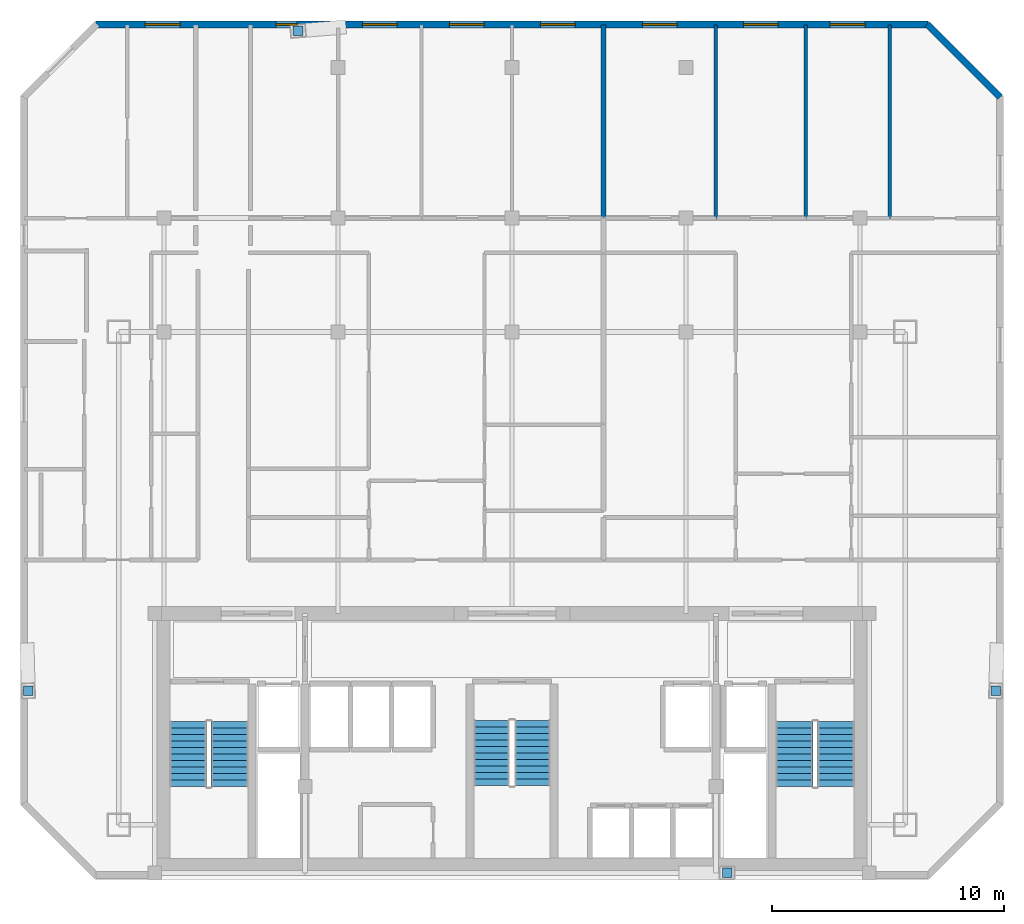
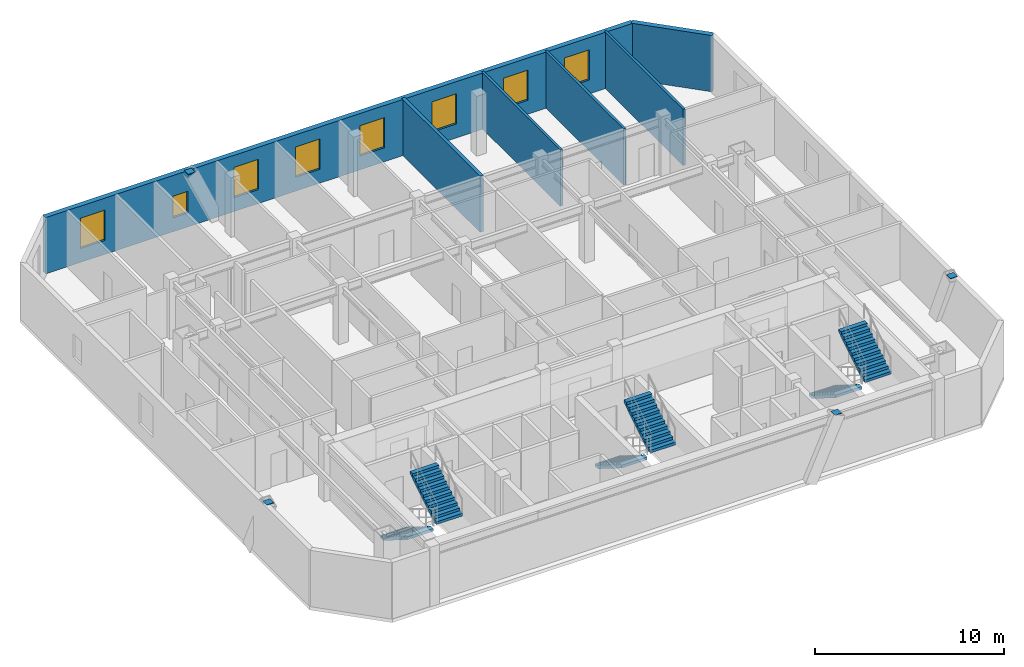
# One storey, part 6 of 7: 8 windows, 6 stair flights, 6 walls, 4 discrete accessories, 8 openings, 3 elements without a shape of their own.
"""IFC4 building model written with IfcOpenShell, lengths in metres."""

from ifc_helpers import new_model, si_unit, direction, frame, frame_2d, origin, origin_2d, place, context, subcontext, project, spatial, polyline, rectangle, outline, extrude, material, layer, layer_set, type_object, element, fill, aggregate, save


model = new_model("IFC4")

# Units and contexts
model_context = context("Model", 3, precision=1e-05, world=origin(), true_north=direction((0.0, 1.0)))
body_context = subcontext(model_context, "Body", "Model", "MODEL_VIEW")
ifc_project = project(units=[si_unit("LENGTHUNIT", "METRE"), si_unit("AREAUNIT", "SQUARE_METRE"), si_unit("VOLUMEUNIT", "CUBIC_METRE"), si_unit("PLANEANGLEUNIT", "RADIAN"), si_unit("MASSUNIT", "GRAM", prefix="KILO")], contexts=[model_context])

# Site, building, storey
site_placement = place(None, origin())
site = spatial("IfcSite", under=ifc_project, at=site_placement, CompositionType="ELEMENT")
building_placement = place(site_placement, origin())
building = spatial("IfcBuilding", under=site, at=building_placement, Name="Ventersveld Concourse Tower", CompositionType="ELEMENT")
storey_placement = place(building_placement, frame((0.0, 0.0, 234.949951171875)))
storey = spatial("IfcBuildingStorey", under=building, at=storey_placement, Name="L58", CompositionType="ELEMENT", Elevation=234.949951171875)

# Walls
ifc_material_1 = material(Name="Fire-rated autoclaved aerated masonry blockwork", Category="masonry")
ifc_layer_1 = layer(ifc_material_1, 0.199951171875)
ifc_layer_set_1 = layer_set([ifc_layer_1], Name="Fire-rated autoclaved aerated masonry blockwork")
wall_type_1 = type_object("IfcWallType", Name="WL-DEMISE-200", PredefinedType="PARTITIONING", material=ifc_layer_set_1)
wall_1_placement = place(storey_placement, frame((32.6953125, 28.534912109375, 0.0), z_axis=(0.0, 0.0, 1.0), x_axis=(0.0, 1.0, 0.0)))
element("IfcWall", 1, at=wall_1_placement, inside=storey, type_object=wall_type_1, Name="L58 Interior Partition SP-L58-58N1-BR4-SP-L58-58N2-BR1", PredefinedType="PARTITIONING", context=body_context, shape_type="SweptSolid", body=[
    extrude(rectangle(XDim=8.287109375, YDim=0.199951171875, at=frame_2d((4.1435546875, 0.0))), origin(), (0.0, 0.0, 1.0), 3.630126953125),
])
ifc_material_2 = material(Name="Autoclaved aerated masonry blockwork", Category="masonry")
ifc_layer_2 = layer(ifc_material_2, 0.14990234375)
ifc_layer_set_2 = layer_set([ifc_layer_2], Name="Autoclaved aerated masonry blockwork")
wall_type_2 = type_object("IfcWallType", Name="WL-INT-150", PredefinedType="PARTITIONING", material=ifc_layer_set_2)
for number, where, z_axis, x_axis, name in (
    (2, (37.543212890625, 28.4951171875, 0.0), (0.0, 0.0, 1.0), (0.0, 1.0, 0.0), "L58 Interior Partition SP-L58-58N2-BR1-SP-L58-58N2-BR2"),
    (3, (41.408447265625, 28.4951171875, 0.0), (0.0, 0.0, 1.0), (0.0, 1.0, 0.0), "L58 Interior Partition SP-L58-58N2-BR2-SP-L58-58N2-BR3"),
    (4, (45.028076171875, 28.4951171875, 0.0), (0.0, 0.0, 1.0), (0.0, 1.0, 0.0), "L58 Interior Partition SP-L58-58N2-BR3-SP-L58-58N2-BR4"),
):
    element("IfcWall", number, at=place(storey_placement, frame(where, z_axis=z_axis, x_axis=x_axis)), inside=storey, type_object=wall_type_2, Name=name, PredefinedType="PARTITIONING", context=body_context, shape_type="SweptSolid", body=[
        extrude(rectangle(XDim=8.326904296875, YDim=0.14990234375, at=frame_2d((4.16357421875, 0.0))), origin(), (0.0, 0.0, 1.0), 3.630126953125),
    ])
ifc_material_3 = material(Name="Precast concrete C45/55", Category="concrete")
ifc_layer_3 = layer(ifc_material_3, 0.300048828125)
ifc_layer_set_3 = layer_set([ifc_layer_3], Name="Precast concrete C45/55")
wall_type_3 = type_object("IfcWallType", Name="WL-PREC-300", PredefinedType="SOLIDWALL", material=ifc_layer_set_3)
wall_2_placement = place(storey_placement, frame((49.79443359375, 33.716552734375, 0.0), z_axis=(0.0, 0.0, 1.0), x_axis=(-0.707079321262, 0.707134240044, 0.0)))
element("IfcWall", 5, at=wall_2_placement, inside=storey, type_object=wall_type_3, Name="L58 Highveld Precast Facade Wall E04", PredefinedType="SOLIDWALL", context=body_context, shape_type="SweptSolid", body=[
    extrude(rectangle(XDim=4.445556640625, YDim=0.300048828125, at=frame_2d((2.22265625, 0.0))), origin(), (0.0, 0.0, 1.0), 3.630126953125),
])

# Wall, openings, windows
wall_3_placement = place(storey_placement, frame((46.68896484375, 36.844482421875, 0.0), z_axis=(0.0, 0.0, 1.0), x_axis=(-1.0, 0.0, 0.0)))
wall_3 = element("IfcWall", 6, at=wall_3_placement, inside=storey, type_object=wall_type_3, Name="L58 Highveld Precast Facade Wall E05", PredefinedType="SOLIDWALL", context=body_context, shape_type="SweptSolid", body=[
    extrude(rectangle(XDim=35.8779296875, YDim=0.300048828125, at=frame_2d((17.93896484375, 0.0))), origin(), (0.0, 0.0, 1.0), 3.630126953125),
])
opening_1_placement = place(wall_3_placement, frame((32.250244140625, 0.0, 0.89990234375)))
opening_1 = element("IfcOpeningElement", 7, at=opening_1_placement, cuts=wall_3, Name="Opening W1", PredefinedType="OPENING", context=body_context, shape_type="SweptSolid", body=[
    extrude(rectangle(XDim=1.5, YDim=1.949951171875, at=frame_2d((0.75, 0.97509765625))), frame((0.0, 0.16015625, 0.0), z_axis=(0.0, -1.0, 0.0), x_axis=(1.0, 0.0, 0.0)), (0.0, 0.0, 1.0), 0.320068359375),
])
opening_2_placement = place(wall_3_placement, frame((27.20458984375, 0.0, 0.89990234375)))
opening_2 = element("IfcOpeningElement", 8, at=opening_2_placement, cuts=wall_3, Name="Opening W8", PredefinedType="OPENING", context=body_context, shape_type="SweptSolid", body=[
    extrude(rectangle(XDim=0.89990234375, YDim=1.39990234375, at=frame_2d((0.449951171875, 0.699951171875))), frame((0.0, 0.16015625, 0.0), z_axis=(0.0, -1.0, 0.0), x_axis=(1.0, 0.0, 0.0)), (0.0, 0.0, 1.0), 0.320068359375),
])
opening_3_placement = place(wall_3_placement, frame((22.8896484375, 0.0, 0.89990234375)))
opening_3 = element("IfcOpeningElement", 9, at=opening_3_placement, cuts=wall_3, Name="Opening W1", PredefinedType="OPENING", context=body_context, shape_type="SweptSolid", body=[
    extrude(rectangle(XDim=1.5, YDim=1.949951171875, at=frame_2d((0.75, 0.97509765625))), frame((0.0, 0.16015625, 0.0), z_axis=(0.0, -1.0, 0.0), x_axis=(1.0, 0.0, 0.0)), (0.0, 0.0, 1.0), 0.320068359375),
])
opening_4_placement = place(wall_3_placement, frame((19.1396484375, 0.0, 0.89990234375)))
opening_4 = element("IfcOpeningElement", 10, at=opening_4_placement, cuts=wall_3, Name="Opening W1", PredefinedType="OPENING", context=body_context, shape_type="SweptSolid", body=[
    extrude(rectangle(XDim=1.5, YDim=1.949951171875, at=frame_2d((0.75, 0.97509765625))), frame((0.0, 0.16015625, 0.0), z_axis=(0.0, -1.0, 0.0), x_axis=(1.0, 0.0, 0.0)), (0.0, 0.0, 1.0), 0.320068359375),
])
opening_5_placement = place(wall_3_placement, frame((15.21630859375, 0.0, 0.89990234375)))
opening_5 = element("IfcOpeningElement", 11, at=opening_5_placement, cuts=wall_3, Name="Opening W1", PredefinedType="OPENING", context=body_context, shape_type="SweptSolid", body=[
    extrude(rectangle(XDim=1.5, YDim=1.949951171875, at=frame_2d((0.75, 0.97509765625))), frame((0.0, 0.16015625, 0.0), z_axis=(0.0, -1.0, 0.0), x_axis=(1.0, 0.0, 0.0)), (0.0, 0.0, 1.0), 0.320068359375),
])
opening_6_placement = place(wall_3_placement, frame((10.819580078125, 0.0, 0.89990234375)))
opening_6 = element("IfcOpeningElement", 12, at=opening_6_placement, cuts=wall_3, Name="Opening W1", PredefinedType="OPENING", context=body_context, shape_type="SweptSolid", body=[
    extrude(rectangle(XDim=1.5, YDim=1.949951171875, at=frame_2d((0.75, 0.97509765625))), frame((0.0, 0.16015625, 0.0), z_axis=(0.0, -1.0, 0.0), x_axis=(1.0, 0.0, 0.0)), (0.0, 0.0, 1.0), 0.320068359375),
])
opening_7_placement = place(wall_3_placement, frame((6.463134765625, 0.0, 0.89990234375)))
opening_7 = element("IfcOpeningElement", 13, at=opening_7_placement, cuts=wall_3, Name="Opening W1", PredefinedType="OPENING", context=body_context, shape_type="SweptSolid", body=[
    extrude(rectangle(XDim=1.5, YDim=1.949951171875, at=frame_2d((0.75, 0.97509765625))), frame((0.0, 0.16015625, 0.0), z_axis=(0.0, -1.0, 0.0), x_axis=(1.0, 0.0, 0.0)), (0.0, 0.0, 1.0), 0.320068359375),
])
opening_8_placement = place(wall_3_placement, frame((2.720703125, 0.0, 0.89990234375)))
opening_8 = element("IfcOpeningElement", 14, at=opening_8_placement, cuts=wall_3, Name="Opening W1", PredefinedType="OPENING", context=body_context, shape_type="SweptSolid", body=[
    extrude(rectangle(XDim=1.5, YDim=1.949951171875, at=frame_2d((0.75, 0.97509765625))), frame((0.0, 0.16015625, 0.0), z_axis=(0.0, -1.0, 0.0), x_axis=(1.0, 0.0, 0.0)), (0.0, 0.0, 1.0), 0.320068359375),
])
ifc_material_4 = material(Name="Tempered acoustic Low-E IGU", Category="glass")
window_type_1 = type_object("IfcWindowType", Name="WIN-090x140", PartitioningType="SINGLE_PANEL", PredefinedType="WINDOW", material=ifc_material_4)
window_1_placement = place(opening_2_placement, origin())
window_1 = element("IfcWindow", 15, at=window_1_placement, inside=storey, type_object=window_type_1, Name="L58 Punched Low-E Window W-0831", OverallHeight=1.39990234375, OverallWidth=0.89990234375, PartitioningType="SINGLE_PANEL", PredefinedType="WINDOW", context=body_context, shape_type="SweptSolid", body=[
    extrude(rectangle(XDim=0.89990234375, YDim=1.39990234375, at=frame_2d((0.449951171875, 0.699951171875))), frame((0.0, 0.030029296875, 0.0), z_axis=(0.0, -1.0, 0.0), x_axis=(1.0, 0.0, 0.0)), (0.0, 0.0, 1.0), 0.06005859375),
])
fill(opening_2, window_1)
window_type_2 = type_object("IfcWindowType", Name="WIN-150x210", PartitioningType="SINGLE_PANEL", PredefinedType="WINDOW", material=ifc_material_4)
window_2_placement = place(opening_1_placement, origin())
window_2 = element("IfcWindow", 16, at=window_2_placement, inside=storey, type_object=window_type_2, Name="L58 Punched Low-E Window W-0830", OverallHeight=1.949951171875, OverallWidth=1.5, PartitioningType="SINGLE_PANEL", PredefinedType="WINDOW", context=body_context, shape_type="SweptSolid", body=[
    extrude(rectangle(XDim=1.5, YDim=1.949951171875, at=frame_2d((0.75, 0.97509765625))), frame((0.0, 0.030029296875, 0.0), z_axis=(0.0, -1.0, 0.0), x_axis=(1.0, 0.0, 0.0)), (0.0, 0.0, 1.0), 0.06005859375),
])
fill(opening_1, window_2)
window_3_placement = place(opening_3_placement, origin())
window_3 = element("IfcWindow", 17, at=window_3_placement, inside=storey, type_object=window_type_2, Name="L58 Punched Low-E Window W-0832", OverallHeight=1.949951171875, OverallWidth=1.5, PartitioningType="SINGLE_PANEL", PredefinedType="WINDOW", context=body_context, shape_type="SweptSolid", body=[
    extrude(rectangle(XDim=1.5, YDim=1.949951171875, at=frame_2d((0.75, 0.97509765625))), frame((0.0, 0.030029296875, 0.0), z_axis=(0.0, -1.0, 0.0), x_axis=(1.0, 0.0, 0.0)), (0.0, 0.0, 1.0), 0.06005859375),
])
fill(opening_3, window_3)
window_4_placement = place(opening_4_placement, origin())
window_4 = element("IfcWindow", 18, at=window_4_placement, inside=storey, type_object=window_type_2, Name="L58 Punched Low-E Window W-0833", OverallHeight=1.949951171875, OverallWidth=1.5, PartitioningType="SINGLE_PANEL", PredefinedType="WINDOW", context=body_context, shape_type="SweptSolid", body=[
    extrude(rectangle(XDim=1.5, YDim=1.949951171875, at=frame_2d((0.75, 0.97509765625))), frame((0.0, 0.030029296875, 0.0), z_axis=(0.0, -1.0, 0.0), x_axis=(1.0, 0.0, 0.0)), (0.0, 0.0, 1.0), 0.06005859375),
])
fill(opening_4, window_4)
window_5_placement = place(opening_5_placement, origin())
window_5 = element("IfcWindow", 19, at=window_5_placement, inside=storey, type_object=window_type_2, Name="L58 Punched Low-E Window W-0834", OverallHeight=1.949951171875, OverallWidth=1.5, PartitioningType="SINGLE_PANEL", PredefinedType="WINDOW", context=body_context, shape_type="SweptSolid", body=[
    extrude(rectangle(XDim=1.5, YDim=1.949951171875, at=frame_2d((0.75, 0.97509765625))), frame((0.0, 0.030029296875, 0.0), z_axis=(0.0, -1.0, 0.0), x_axis=(1.0, 0.0, 0.0)), (0.0, 0.0, 1.0), 0.06005859375),
])
fill(opening_5, window_5)
window_6_placement = place(opening_6_placement, origin())
window_6 = element("IfcWindow", 20, at=window_6_placement, inside=storey, type_object=window_type_2, Name="L58 Punched Low-E Window W-0839", OverallHeight=1.949951171875, OverallWidth=1.5, PartitioningType="SINGLE_PANEL", PredefinedType="WINDOW", context=body_context, shape_type="SweptSolid", body=[
    extrude(rectangle(XDim=1.5, YDim=1.949951171875, at=frame_2d((0.75, 0.97509765625))), frame((0.0, 0.030029296875, 0.0), z_axis=(0.0, -1.0, 0.0), x_axis=(1.0, 0.0, 0.0)), (0.0, 0.0, 1.0), 0.06005859375),
])
fill(opening_6, window_6)
window_7_placement = place(opening_7_placement, origin())
window_7 = element("IfcWindow", 21, at=window_7_placement, inside=storey, type_object=window_type_2, Name="L58 Punched Low-E Window W-0840", OverallHeight=1.949951171875, OverallWidth=1.5, PartitioningType="SINGLE_PANEL", PredefinedType="WINDOW", context=body_context, shape_type="SweptSolid", body=[
    extrude(rectangle(XDim=1.5, YDim=1.949951171875, at=frame_2d((0.75, 0.97509765625))), frame((0.0, 0.030029296875, 0.0), z_axis=(0.0, -1.0, 0.0), x_axis=(1.0, 0.0, 0.0)), (0.0, 0.0, 1.0), 0.06005859375),
])
fill(opening_7, window_7)
window_8_placement = place(opening_8_placement, origin())
window_8 = element("IfcWindow", 22, at=window_8_placement, inside=storey, type_object=window_type_2, Name="L58 Punched Low-E Window W-0841", OverallHeight=1.949951171875, OverallWidth=1.5, PartitioningType="SINGLE_PANEL", PredefinedType="WINDOW", context=body_context, shape_type="SweptSolid", body=[
    extrude(rectangle(XDim=1.5, YDim=1.949951171875, at=frame_2d((0.75, 0.97509765625))), frame((0.0, 0.030029296875, 0.0), z_axis=(0.0, -1.0, 0.0), x_axis=(1.0, 0.0, 0.0)), (0.0, 0.0, 1.0), 0.06005859375),
])
fill(opening_8, window_8)

# Stair, stair flights
ifc_material_5 = material(Name="Concrete C50/60", Category="concrete")
stair_type_1 = type_object("IfcStairType", Name="ST-DOG-155", PredefinedType="HALF_TURN_STAIR", material=ifc_material_5)
stair_1_placement = place(storey_placement, origin())
stair_1 = element("IfcStair", 23, at=stair_1_placement, inside=storey, type_object=stair_type_1, Name="L58 Protected Central Core Escape Stair ST-03", PredefinedType="HALF_TURN_STAIR")
stair_flight_type_1 = type_object("IfcStairFlightType", Name="STF-RC-155", PredefinedType="STRAIGHT", material=ifc_material_5)
stair_flight_1_placement = place(storey_placement, frame((27.875, 6.85009765625, 0.0), z_axis=(0.0, 0.0, 1.0), x_axis=(0.0, -1.0, 0.0)))
stair_flight_1 = element("IfcStairFlight", 24, at=stair_flight_1_placement, type_object=stair_flight_type_1, Name="ST-03 flight 1", NumberOfRisers=11, NumberOfTreads=10, PredefinedType="STRAIGHT", RiserHeight=0.175, TreadLength=0.28, context=body_context, shape_type="SweptSolid", body=[
    extrude(outline(polyline([(0.0, 0.0), (0.0, 0.175048828125), (0.280029296875, 0.175048828125), (0.280029296875, 0.35009765625), (0.56005859375, 0.35009765625), (0.56005859375, 0.52490234375), (0.840087890625, 0.52490234375), (0.840087890625, 0.699951171875), (1.1201171875, 0.699951171875), (1.1201171875, 0.875), (1.39990234375, 0.875), (1.39990234375, 1.050048828125), (1.679931640625, 1.050048828125), (1.679931640625, 1.22509765625), (1.9599609375, 1.22509765625), (1.9599609375, 1.39990234375), (2.239990234375, 1.39990234375), (2.239990234375, 1.574951171875), (2.52001953125, 1.574951171875), (2.52001953125, 1.75), (2.800048828125, 1.75), (2.800048828125, 1.925048828125), (2.800048828125, 1.5732421875), (0.28271484375, 0.0), (0.0, 0.0)])), frame((0.0, 0.77490234375, 0.0), z_axis=(0.0, -1.0, 0.0), x_axis=(1.0, 0.0, 0.0)), (0.0, 0.0, 1.0), 1.550048828125),
])
stair_flight_2_placement = place(storey_placement, frame((29.625, 4.050048828125, 1.925048828125), z_axis=(0.0, 0.0, 1.0), x_axis=(0.0, 1.0, 0.0)))
stair_flight_2 = element("IfcStairFlight", 25, at=stair_flight_2_placement, type_object=stair_flight_type_1, Name="ST-03 flight 2", NumberOfRisers=11, NumberOfTreads=10, PredefinedType="STRAIGHT", RiserHeight=0.175, TreadLength=0.28, context=body_context, shape_type="SweptSolid", body=[
    extrude(outline(polyline([(0.0, 0.0), (0.0, 0.175048828125), (0.280029296875, 0.175048828125), (0.280029296875, 0.35009765625), (0.56005859375, 0.35009765625), (0.56005859375, 0.52490234375), (0.840087890625, 0.52490234375), (0.840087890625, 0.699951171875), (1.1201171875, 0.699951171875), (1.1201171875, 0.875), (1.39990234375, 0.875), (1.39990234375, 1.050048828125), (1.679931640625, 1.050048828125), (1.679931640625, 1.22509765625), (1.9599609375, 1.22509765625), (1.9599609375, 1.39990234375), (2.239990234375, 1.39990234375), (2.239990234375, 1.574951171875), (2.52001953125, 1.574951171875), (2.52001953125, 1.75), (2.800048828125, 1.75), (2.800048828125, 1.925048828125), (2.800048828125, 1.5732421875), (0.28271484375, 0.0), (0.0, 0.0)])), frame((0.0, 0.77490234375, 0.0), z_axis=(0.0, -1.0, 0.0), x_axis=(1.0, 0.0, 0.0)), (0.0, 0.0, 1.0), 1.550048828125),
])
aggregate(stair_1, [stair_flight_1, stair_flight_2])

stair_type_2 = type_object("IfcStairType", Name="ST-DOG-160", PredefinedType="HALF_TURN_STAIR", material=ifc_material_5)
stair_2_placement = place(storey_placement, origin())
stair_2 = element("IfcStair", 26, at=stair_2_placement, inside=storey, type_object=stair_type_2, Name="L58 Protected Tower Escape Stair ST-01", PredefinedType="HALF_TURN_STAIR")
stair_flight_type_2 = type_object("IfcStairFlightType", Name="STF-RC-160", PredefinedType="STRAIGHT", material=ifc_material_5)
stair_flight_3_placement = place(storey_placement, frame((14.780029296875, 6.800048828125, 0.0), z_axis=(0.0, 0.0, 1.0), x_axis=(0.0, -1.0, 0.0)))
stair_flight_3 = element("IfcStairFlight", 27, at=stair_flight_3_placement, type_object=stair_flight_type_2, Name="ST-01 flight 1", NumberOfRisers=11, NumberOfTreads=10, PredefinedType="STRAIGHT", RiserHeight=0.175, TreadLength=0.28, context=body_context, shape_type="SweptSolid", body=[
    extrude(outline(polyline([(0.0, 0.0), (0.0, 0.175048828125), (0.280029296875, 0.175048828125), (0.280029296875, 0.35009765625), (0.56005859375, 0.35009765625), (0.56005859375, 0.52490234375), (0.840087890625, 0.52490234375), (0.840087890625, 0.699951171875), (1.1201171875, 0.699951171875), (1.1201171875, 0.875), (1.39990234375, 0.875), (1.39990234375, 1.050048828125), (1.679931640625, 1.050048828125), (1.679931640625, 1.22509765625), (1.9599609375, 1.22509765625), (1.9599609375, 1.39990234375), (2.239990234375, 1.39990234375), (2.239990234375, 1.574951171875), (2.52001953125, 1.574951171875), (2.52001953125, 1.75), (2.800048828125, 1.75), (2.800048828125, 1.925048828125), (2.800048828125, 1.5732421875), (0.28271484375, 0.0), (0.0, 0.0)])), frame((0.0, 0.800048828125, 0.0), z_axis=(0.0, -1.0, 0.0), x_axis=(1.0, 0.0, 0.0)), (0.0, 0.0, 1.0), 1.60009765625),
])
stair_flight_4_placement = place(storey_placement, frame((16.580078125, 4.0, 1.925048828125), z_axis=(0.0, 0.0, 1.0), x_axis=(0.0, 1.0, 0.0)))
stair_flight_4 = element("IfcStairFlight", 28, at=stair_flight_4_placement, type_object=stair_flight_type_2, Name="ST-01 flight 2", NumberOfRisers=11, NumberOfTreads=10, PredefinedType="STRAIGHT", RiserHeight=0.175, TreadLength=0.28, context=body_context, shape_type="SweptSolid", body=[
    extrude(outline(polyline([(0.0, 0.0), (0.0, 0.175048828125), (0.280029296875, 0.175048828125), (0.280029296875, 0.35009765625), (0.56005859375, 0.35009765625), (0.56005859375, 0.52490234375), (0.840087890625, 0.52490234375), (0.840087890625, 0.699951171875), (1.1201171875, 0.699951171875), (1.1201171875, 0.875), (1.39990234375, 0.875), (1.39990234375, 1.050048828125), (1.679931640625, 1.050048828125), (1.679931640625, 1.22509765625), (1.9599609375, 1.22509765625), (1.9599609375, 1.39990234375), (2.239990234375, 1.39990234375), (2.239990234375, 1.574951171875), (2.52001953125, 1.574951171875), (2.52001953125, 1.75), (2.800048828125, 1.75), (2.800048828125, 1.925048828125), (2.800048828125, 1.5732421875), (0.28271484375, 0.0), (0.0, 0.0)])), frame((0.0, 0.800048828125, 0.0), z_axis=(0.0, -1.0, 0.0), x_axis=(1.0, 0.0, 0.0)), (0.0, 0.0, 1.0), 1.60009765625),
])
aggregate(stair_2, [stair_flight_3, stair_flight_4])

stair_3_placement = place(storey_placement, origin())
stair_3 = element("IfcStair", 29, at=stair_3_placement, inside=storey, type_object=stair_type_2, Name="L58 Protected Tower Escape Stair ST-02", PredefinedType="HALF_TURN_STAIR")
stair_flight_5_placement = place(storey_placement, frame((40.919921875, 6.800048828125, 0.0), z_axis=(0.0, 0.0, 1.0), x_axis=(0.0, -1.0, 0.0)))
stair_flight_5 = element("IfcStairFlight", 30, at=stair_flight_5_placement, type_object=stair_flight_type_2, Name="ST-02 flight 1", NumberOfRisers=11, NumberOfTreads=10, PredefinedType="STRAIGHT", RiserHeight=0.175, TreadLength=0.28, context=body_context, shape_type="SweptSolid", body=[
    extrude(outline(polyline([(0.0, 0.0), (0.0, 0.175048828125), (0.280029296875, 0.175048828125), (0.280029296875, 0.35009765625), (0.56005859375, 0.35009765625), (0.56005859375, 0.52490234375), (0.840087890625, 0.52490234375), (0.840087890625, 0.699951171875), (1.1201171875, 0.699951171875), (1.1201171875, 0.875), (1.39990234375, 0.875), (1.39990234375, 1.050048828125), (1.679931640625, 1.050048828125), (1.679931640625, 1.22509765625), (1.9599609375, 1.22509765625), (1.9599609375, 1.39990234375), (2.239990234375, 1.39990234375), (2.239990234375, 1.574951171875), (2.52001953125, 1.574951171875), (2.52001953125, 1.75), (2.800048828125, 1.75), (2.800048828125, 1.925048828125), (2.800048828125, 1.5732421875), (0.28271484375, 0.0), (0.0, 0.0)])), frame((0.0, 0.800048828125, 0.0), z_axis=(0.0, -1.0, 0.0), x_axis=(1.0, 0.0, 0.0)), (0.0, 0.0, 1.0), 1.60009765625),
])
stair_flight_6_placement = place(storey_placement, frame((42.719970703125, 4.0, 1.925048828125), z_axis=(0.0, 0.0, 1.0), x_axis=(0.0, 1.0, 0.0)))
stair_flight_6 = element("IfcStairFlight", 31, at=stair_flight_6_placement, type_object=stair_flight_type_2, Name="ST-02 flight 2", NumberOfRisers=11, NumberOfTreads=10, PredefinedType="STRAIGHT", RiserHeight=0.175, TreadLength=0.28, context=body_context, shape_type="SweptSolid", body=[
    extrude(outline(polyline([(0.0, 0.0), (0.0, 0.175048828125), (0.280029296875, 0.175048828125), (0.280029296875, 0.35009765625), (0.56005859375, 0.35009765625), (0.56005859375, 0.52490234375), (0.840087890625, 0.52490234375), (0.840087890625, 0.699951171875), (1.1201171875, 0.699951171875), (1.1201171875, 0.875), (1.39990234375, 0.875), (1.39990234375, 1.050048828125), (1.679931640625, 1.050048828125), (1.679931640625, 1.22509765625), (1.9599609375, 1.22509765625), (1.9599609375, 1.39990234375), (2.239990234375, 1.39990234375), (2.239990234375, 1.574951171875), (2.52001953125, 1.574951171875), (2.52001953125, 1.75), (2.800048828125, 1.75), (2.800048828125, 1.925048828125), (2.800048828125, 1.5732421875), (0.28271484375, 0.0), (0.0, 0.0)])), frame((0.0, 0.800048828125, 0.0), z_axis=(0.0, -1.0, 0.0), x_axis=(1.0, 0.0, 0.0)), (0.0, 0.0, 1.0), 1.60009765625),
])
aggregate(stair_3, [stair_flight_5, stair_flight_6])

# Discrete accessories
ifc_material_6 = material(Name="Structural steel S355J2", Category="steel")
discrete_accessory_type = type_object("IfcDiscreteAccessoryType", Name="CONN-BRACE-ECP1", PredefinedType="BRACKET", material=ifc_material_6)
for number, where, z_axis, x_axis, name in (
    (32, (19.526123046875, 36.572509765625, 3.610107421875), (0.0, 0.0, 1.0), (1.0, 0.0, 0.0), "L58 Steel Brace End Connection Plate ECP1-0420"),
    (33, (38.02392578125, 0.280029296875, 3.610107421875), (0.0, 0.0, 1.0), (1.0, 0.0, 0.0), "L58 Steel Brace End Connection Plate ECP1-0424"),
    (34, (7.900146484375, 8.126220703125, 3.610107421875), (0.0, 0.0, 1.0), (1.0, 0.0, 0.0), "L58 Steel Brace End Connection Plate ECP1-0428"),
    (35, (49.599853515625, 8.126220703125, 3.610107421875), (0.0, 0.0, 1.0), (1.0, 0.0, 0.0), "L58 Steel Brace End Connection Plate ECP1-0432"),
):
    element("IfcDiscreteAccessory", number, at=place(storey_placement, frame(where, z_axis=z_axis, x_axis=x_axis)), inside=storey, type_object=discrete_accessory_type, Name=name, PredefinedType="BRACKET", context=body_context, shape_type="SweptSolid", body=[
        extrude(rectangle(XDim=0.419921875, YDim=0.419921875, at=origin_2d()), origin(), (0.0, 0.0, 1.0), 0.0400390625),
    ])

save(model, "model.ifc")
